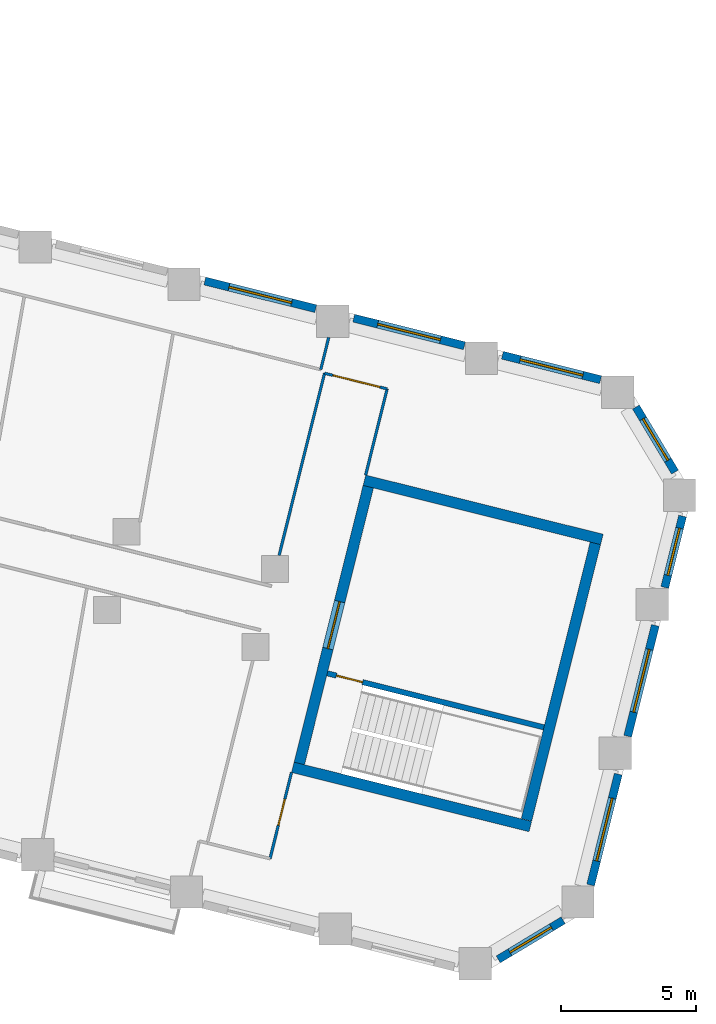
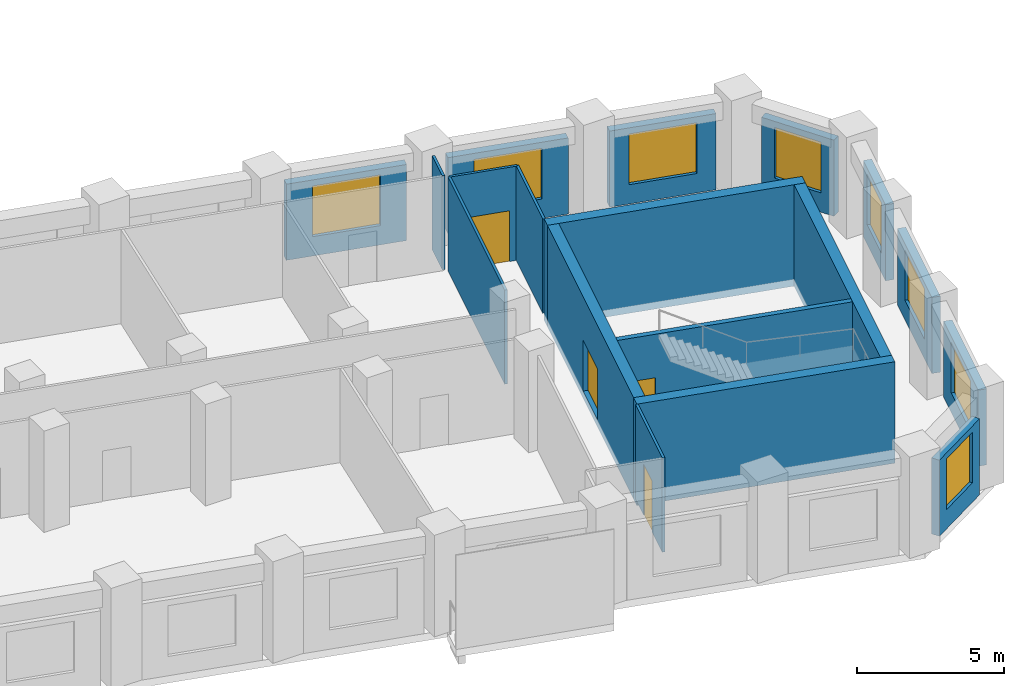
# One storey, part 7 of 10: 18 walls, 8 windows, 4 doors, 12 openings.
"""IFC4 building model written with IfcOpenShell, lengths in metres."""

import ifcopenshell
import ifcopenshell.guid

model = None  # the IFC model being written
_history = None  # IfcOwnerHistory: only IFC2X3 demands one
_inside = {}  # id of a spatial element -> (the spatial element, [elements in it])
_under = {}  # id of a project, library or spatial element -> (it, [spatial elements below it])
_declared = {}  # id of a project -> (the project, [libraries it declares])
_typed = {}  # id of a type object -> (the type object, [elements of that type])
_made_of = {}  # id of a material, layer set ... -> (it, [elements and type objects made of it])


def new_model(schema):
    """Start an empty IFC model of exactly this schema.

    Asked for "IFC4X3", IfcOpenShell would pick the latest addendum, in which some entities
    have other attributes; the version numbers below select the first issue.
    IFC2X3 requires an IfcOwnerHistory on every rooted entity: one is made here for all.
    """
    global model, _history
    if schema == "IFC4X3":
        model = ifcopenshell.file(schema_version=(4, 3, 0, 0))
    else:
        model = ifcopenshell.file(schema=schema)
    _inside.clear()
    _under.clear()
    _declared.clear()
    _typed.clear()
    _made_of.clear()
    _history = None
    if model.schema == "IFC2X3":
        org = make("IfcOrganization", Name="unknown")
        user = make(
            "IfcPersonAndOrganization",
            ThePerson=make("IfcPerson", FamilyName="unknown"),
            TheOrganization=org,
        )
        app = make(
            "IfcApplication",
            ApplicationDeveloper=org,
            Version="unknown",
            ApplicationFullName="unknown",
            ApplicationIdentifier="unknown",
        )
        _history = make(
            "IfcOwnerHistory",
            OwningUser=user,
            OwningApplication=app,
            ChangeAction="ADDED",
            CreationDate=0,
        )
    return model


def make(cls, **values):
    """One entity of the class cls with the attributes given. An attribute that is None is left unset."""
    return model.create_entity(
        cls, **{name: value for name, value in values.items() if value is not None}
    )


def rooted(cls, **values):
    """An entity with a GlobalId (a new one), such as an element, a storey or a relation."""
    return make(cls, GlobalId=ifcopenshell.guid.new(), OwnerHistory=_history, **values)


def si_unit(unit_type, name, prefix=None):
    """IfcSIUnit, for example si_unit("LENGTHUNIT", "METRE", prefix="MILLI")."""
    return make("IfcSIUnit", UnitType=unit_type, Prefix=prefix, Name=name)


def assignment(units):
    """IfcUnitAssignment: the units of a project."""
    return None if units is None else make("IfcUnitAssignment", Units=units)


def point(xyz):
    """IfcCartesianPoint."""
    return None if xyz is None else make("IfcCartesianPoint", Coordinates=xyz)


def direction(xyz):
    """IfcDirection."""
    return None if xyz is None else make("IfcDirection", DirectionRatios=xyz)


def frame(location, z_axis=None, x_axis=None):
    """IfcAxis2Placement3D, a coordinate frame: its origin and axes. An axis left out is left unset."""
    return make(
        "IfcAxis2Placement3D",
        Location=point(location),
        Axis=direction(z_axis),
        RefDirection=direction(x_axis),
    )


def frame_2d(location, x_axis=None):
    """IfcAxis2Placement2D, a coordinate frame in the plane: its origin and x axis."""
    return make(
        "IfcAxis2Placement2D", Location=point(location), RefDirection=direction(x_axis)
    )


def origin():
    """The frame at (0, 0, 0) with its axes left unset."""
    return frame((0.0, 0.0, 0.0))


def place(relative_to, where):
    """IfcLocalPlacement: puts the frame where relative to a parent placement (None: the world)."""
    return make(
        "IfcLocalPlacement", PlacementRelTo=relative_to, RelativePlacement=where
    )


def context(
    kind, dimensions, precision=None, world=None, true_north=None, identifier=None
):
    """IfcGeometricRepresentationContext, for example the 3D "Model" context."""
    return make(
        "IfcGeometricRepresentationContext",
        ContextIdentifier=identifier,
        ContextType=kind,
        CoordinateSpaceDimension=dimensions,
        Precision=precision,
        WorldCoordinateSystem=world,
        TrueNorth=true_north,
    )


def subcontext(parent, identifier, kind, view, scale=None):
    """IfcGeometricRepresentationSubContext, for example "Body" below "Model"."""
    return make(
        "IfcGeometricRepresentationSubContext",
        ContextIdentifier=identifier,
        ContextType=kind,
        ParentContext=parent,
        TargetScale=scale,
        TargetView=view,
    )


def project(units=None, contexts=None):
    """IfcProject with its units and contexts."""
    return rooted(
        "IfcProject",
        Name="project",
        RepresentationContexts=contexts,
        UnitsInContext=assignment(units),
    )


def spatial(cls, under=None, at=None, **own):
    """A site, building, storey or space (cls), placed at a placement, below another one or the project."""
    s = rooted(cls, ObjectPlacement=at, **own)
    if under is not None:
        _under.setdefault(under.id(), (under, []))[1].append(s)
    return s


def profile(cls, at=None, kind="AREA", **sizes):
    """A parametric profile (cls). Its sizes go by their IFC names, for example OverallWidth=200.0."""
    return make(cls, ProfileType=kind, Position=at, **sizes)


def rectangle(**sizes):
    """IfcRectangleProfileDef."""
    return profile("IfcRectangleProfileDef", **sizes)


def extrude(swept, where, along, depth):
    """IfcExtrudedAreaSolid: the profile swept, set in the frame where, extruded along a direction by depth."""
    return make(
        "IfcExtrudedAreaSolid",
        SweptArea=swept,
        Position=where,
        ExtrudedDirection=direction(along),
        Depth=depth,
    )


def shape(context_of_items, identifier, shape_type, items):
    """IfcShapeRepresentation: the items that make up one representation, for example the "Body"."""
    return make(
        "IfcShapeRepresentation",
        ContextOfItems=context_of_items,
        RepresentationIdentifier=identifier,
        RepresentationType=shape_type,
        Items=items,
    )


def material(Name=None, Category=None):
    """IfcMaterial."""
    return make("IfcMaterial", Name=Name, Category=Category)


def layer(
    of_material, thickness, ventilated=None, Name=None, Category=None, Priority=None
):
    """IfcMaterialLayer: one layer of a wall or slab, of a material (None: an air gap)."""
    return make(
        "IfcMaterialLayer",
        Material=of_material,
        LayerThickness=thickness,
        IsVentilated=ventilated,
        Name=Name,
        Category=Category,
        Priority=Priority,
    )


def layer_set(layers, Name=None):
    """IfcMaterialLayerSet."""
    return make("IfcMaterialLayerSet", MaterialLayers=layers, LayerSetName=Name)


def made_of(thing, what):
    """Note that an element or type object is made of a material, layer set ...; save() writes the relation."""
    if what is not None:
        _made_of.setdefault(what.id(), (what, []))[1].append(thing)
    return thing


def type_object(cls, material=None, **own):
    """A type object (cls), such as IfcWallType, which elements share."""
    return made_of(rooted(cls, **own), material)


def element(
    cls,
    number,
    at=None,
    inside=None,
    cuts=None,
    type_object=None,
    material=None,
    context=None,
    identifier="Body",
    shape_type=None,
    held_by="IfcProductDefinitionShape",
    body=None,
    shapes=None,
    **own,
):
    """One element of the class cls, such as IfcWall. Its Tag is "e" and its number.

    at: its placement. inside: the storey or other place that contains it. cuts: it is an
    opening in that element (IfcRelVoidsElement). A single representation is given by context,
    identifier, shape_type and body (its items); several are given by shapes. held_by: the class
    of the entity that holds the representations. save() writes the other relations.
    """
    e = rooted(cls, Tag="e%d" % number, ObjectPlacement=at, **own)
    if body is not None:
        shapes = [shape(context, identifier, shape_type, body)]
    if shapes is not None:
        e.Representation = make(held_by, Representations=shapes)
    if inside is not None:
        _inside.setdefault(inside.id(), (inside, []))[1].append(e)
    if cuts is not None:
        rooted(
            "IfcRelVoidsElement", RelatingBuildingElement=cuts, RelatedOpeningElement=e
        )
    if type_object is not None:
        _typed.setdefault(type_object.id(), (type_object, []))[1].append(e)
    return made_of(e, material)


def fill(opening, filler):
    """IfcRelFillsElement: the door or window that sits in an opening."""
    return rooted(
        "IfcRelFillsElement",
        RelatingOpeningElement=opening,
        RelatedBuildingElement=filler,
    )


def aggregate(whole, parts):
    """IfcRelAggregates: a whole, such as a stair, and the parts it consists of."""
    return rooted("IfcRelAggregates", RelatingObject=whole, RelatedObjects=parts)


def save(model, path):
    """Write the relations noted so far, then the file.

    IfcRelAggregates (storeys below a building ...), IfcRelContainedInSpatialStructure (elements
    in a storey), IfcRelDefinesByType, IfcRelAssociatesMaterial and IfcRelDeclares: one each for
    every whole, place, type object, material and project.
    """
    for whole, parts in _under.values():
        aggregate(whole, parts)
    for where, things in _inside.values():
        rooted(
            "IfcRelContainedInSpatialStructure",
            RelatedElements=things,
            RelatingStructure=where,
        )
    for kind, things in _typed.values():
        rooted("IfcRelDefinesByType", RelatedObjects=things, RelatingType=kind)
    for what, things in _made_of.values():
        rooted("IfcRelAssociatesMaterial", RelatedObjects=things, RelatingMaterial=what)
    for by, libraries in _declared.values():
        rooted("IfcRelDeclares", RelatingContext=by, RelatedDefinitions=libraries)
    model.write(path)


model = new_model("IFC4")

# Units and contexts
model_context = context("Model", 3, precision=1e-05, world=origin(), true_north=direction((0.0, 1.0)))
body_context = subcontext(model_context, "Body", "Model", "MODEL_VIEW")
ifc_project = project(units=[si_unit("LENGTHUNIT", "METRE"), si_unit("AREAUNIT", "SQUARE_METRE"), si_unit("VOLUMEUNIT", "CUBIC_METRE"), si_unit("PLANEANGLEUNIT", "RADIAN"), si_unit("MASSUNIT", "GRAM", prefix="KILO")], contexts=[model_context])

# Site, building, storey
site_placement = place(None, origin())
site = spatial("IfcSite", under=ifc_project, at=site_placement, CompositionType="ELEMENT")
building_placement = place(site_placement, origin())
building = spatial("IfcBuilding", under=site, at=building_placement, Name="Meshkara Civic Tower", CompositionType="ELEMENT")
storey_placement = place(building_placement, frame((0.0, 0.0, 203.39990234375)))
storey = spatial("IfcBuildingStorey", under=building, at=storey_placement, Name="L46", CompositionType="ELEMENT", Elevation=203.39990234375)

# Wall, opening, door
ifc_material_1 = material(Name="Corridor wall 100")
ifc_layer_1 = layer(ifc_material_1, 0.10009765625)
ifc_layer_set_1 = layer_set([ifc_layer_1], Name="Corridor wall 100")
wall_type_1 = type_object("IfcWallType", Name="Corridor wall 100", PredefinedType="PARTITIONING", material=ifc_layer_set_1)
wall_1_placement = place(storey_placement, frame((64.202880859375, -13.533935546875, 0.0), z_axis=(0.0, 0.0, 1.0), x_axis=(0.241856645367, 0.970311992656, 0.0)))
wall_1 = element("IfcWall", 1, at=wall_1_placement, inside=storey, type_object=wall_type_1, Name="L46-W029", PredefinedType="PARTITIONING", context=body_context, shape_type="SweptSolid", body=[
    extrude(rectangle(XDim=3.2998046875, YDim=0.10009765625, at=frame_2d((1.64990234375, 0.0))), origin(), (0.0, 0.0, 1.0), 3.900146484375),
])
opening_1_placement = place(wall_1_placement, frame((1.280029296875, 0.0, 0.0)))
opening_1 = element("IfcOpeningElement", 2, at=opening_1_placement, cuts=wall_1, Name="Opening L46-D001", PredefinedType="OPENING", context=body_context, shape_type="SweptSolid", body=[
    extrude(rectangle(XDim=1.0, YDim=2.10009765625, at=frame_2d((0.5, 1.050048828125))), frame((0.0, 0.06005859375, 0.0), z_axis=(0.0, -1.0, 0.0), x_axis=(1.0, 0.0, 0.0)), (0.0, 0.0, 1.0), 0.1201171875),
])
ifc_material_2 = material(Name="Door 1000 x 2100")
door_type_1 = type_object("IfcDoorType", Name="Door 1000 x 2100", OperationType="SINGLE_SWING_LEFT", PredefinedType="DOOR", material=ifc_material_2)
door_1_placement = place(opening_1_placement, origin())
door_1 = element("IfcDoor", 3, at=door_1_placement, inside=storey, type_object=door_type_1, Name="L46-D001", OperationType="SINGLE_SWING_LEFT", OverallHeight=2.10009765625, OverallWidth=1.0, PredefinedType="DOOR", context=body_context, shape_type="SweptSolid", body=[
    extrude(rectangle(XDim=1.0, YDim=2.10009765625, at=frame_2d((0.5, 1.050048828125))), frame((0.0, 0.02490234375, 0.0), z_axis=(0.0, -1.0, 0.0), x_axis=(1.0, 0.0, 0.0)), (0.0, 0.0, 1.0), 0.050048828125),
])
fill(opening_1, door_1)

# Walls
wall_2_placement = place(storey_placement, frame((66.0869140625, 4.64990234375, 0.0), z_axis=(0.0, 0.0, 1.0), x_axis=(0.24202255973, 0.970270622343, 0.0)))
element("IfcWall", 4, at=wall_2_placement, inside=storey, type_object=wall_type_1, Name="L46-W030", PredefinedType="PARTITIONING", context=body_context, shape_type="SweptSolid", body=[
    extrude(rectangle(XDim=1.231689453125, YDim=0.10009765625, at=frame_2d((0.61572265625, 0.0))), origin(), (0.0, 0.0, 1.0), 3.900146484375),
])
wall_3_placement = place(storey_placement, frame((66.22900390625, 4.511962890625, 0.0), z_axis=(0.0, 0.0, 1.0), x_axis=(-0.24195951758, -0.970286345288, 0.0)))
element("IfcWall", 5, at=wall_3_placement, inside=storey, type_object=wall_type_1, Name="L46-W031", PredefinedType="PARTITIONING", context=body_context, shape_type="SweptSolid", body=[
    extrude(rectangle(XDim=6.98046875, YDim=0.10009765625, at=frame_2d((3.490234375, 0.0))), origin(), (0.0, 0.0, 1.0), 3.900146484375),
])
wall_4_placement = place(storey_placement, frame((67.759033203125, 0.72900390625, 0.0), z_axis=(0.0, 0.0, 1.0), x_axis=(0.241786986316, 0.970329352977, 0.0)))
element("IfcWall", 6, at=wall_4_placement, inside=storey, type_object=wall_type_1, Name="L46-W032", PredefinedType="PARTITIONING", context=body_context, shape_type="SweptSolid", body=[
    extrude(rectangle(XDim=3.2998046875, YDim=0.10009765625, at=frame_2d((1.64990234375, 0.0))), origin(), (0.0, 0.0, 1.0), 3.900146484375),
])

# Wall, opening, door
wall_5_placement = place(storey_placement, frame((68.556884765625, 3.930908203125, 0.0), z_axis=(0.0, 0.0, 1.0), x_axis=(-0.970232217337, 0.242176473756, 0.0)))
wall_5 = element("IfcWall", 7, at=wall_5_placement, inside=storey, type_object=wall_type_1, Name="L46-W033", PredefinedType="PARTITIONING", context=body_context, shape_type="SweptSolid", body=[
    extrude(rectangle(XDim=2.3994140625, YDim=0.10009765625, at=frame_2d((1.19970703125, 0.0))), origin(), (0.0, 0.0, 1.0), 3.900146484375),
])
opening_2_placement = place(wall_5_placement, frame((0.280029296875, 0.0, 0.0)))
opening_2 = element("IfcOpeningElement", 8, at=opening_2_placement, cuts=wall_5, Name="Opening L46-D011", PredefinedType="OPENING", context=body_context, shape_type="SweptSolid", body=[
    extrude(rectangle(XDim=1.800048828125, YDim=2.10009765625, at=frame_2d((0.89990234375, 1.050048828125))), frame((0.0, 0.06005859375, 0.0), z_axis=(0.0, -1.0, 0.0), x_axis=(1.0, 0.0, 0.0)), (0.0, 0.0, 1.0), 0.1201171875),
])
ifc_material_3 = material(Name="Door pair 1800 x 2100")
door_type_2 = type_object("IfcDoorType", Name="Door pair 1800 x 2100", OperationType="SINGLE_SWING_LEFT", PredefinedType="DOOR", material=ifc_material_3)
door_2_placement = place(opening_2_placement, origin())
door_2 = element("IfcDoor", 9, at=door_2_placement, inside=storey, type_object=door_type_2, Name="L46-D011", OperationType="DOUBLE_DOOR_SINGLE_SWING", OverallHeight=2.10009765625, OverallWidth=1.800048828125, PredefinedType="DOOR", context=body_context, shape_type="SweptSolid", body=[
    extrude(rectangle(XDim=1.800048828125, YDim=2.10009765625, at=frame_2d((0.89990234375, 1.050048828125))), frame((0.0, 0.02490234375, 0.0), z_axis=(0.0, -1.0, 0.0), x_axis=(1.0, 0.0, 0.0)), (0.0, 0.0, 1.0), 0.050048828125),
])
fill(opening_2, door_2)

# Wall, opening, window
ifc_material_4 = material(Name="Insulated infill panel with bronze anodised aluminium cladding", Category="aluminium")
ifc_layer_2 = layer(ifc_material_4, 0.300048828125)
ifc_layer_set_2 = layer_set([ifc_layer_2], Name="EXTERNAL INFILL WALL 300")
wall_type_2 = type_object("IfcWallType", Name="EXTERNAL INFILL WALL 300", PredefinedType="SOLIDWALL", material=ifc_layer_set_2)
wall_6_placement = place(storey_placement, frame((76.491943359375, 4.27197265625, 0.0), z_axis=(0.0, 0.0, 1.0), x_axis=(-0.970348377394, 0.241710625521, 0.0)))
wall_6 = element("IfcWall", 10, at=wall_6_placement, inside=storey, type_object=wall_type_2, Name="External wall", PredefinedType="SOLIDWALL", context=body_context, shape_type="SweptSolid", body=[
    extrude(rectangle(XDim=3.760498046875, YDim=0.300048828125, at=frame_2d((1.88037109375, 0.0))), origin(), (0.0, 0.0, 1.0), 3.150146484375),
])
opening_3_placement = place(wall_6_placement, frame((0.679931640625, 0.0, 0.800048828125)))
opening_3 = element("IfcOpeningElement", 11, at=opening_3_placement, cuts=wall_6, Name="Opening W7", PredefinedType="OPENING", context=body_context, shape_type="SweptSolid", body=[
    extrude(rectangle(XDim=2.39990234375, YDim=2.10009765625, at=frame_2d((1.199951171875, 1.050048828125))), frame((0.0, 0.159912109375, 0.0), z_axis=(0.0, -1.0, 0.0), x_axis=(1.0, 0.0, 0.0)), (0.0, 0.0, 1.0), 0.320068359375),
])
ifc_material_5 = material(Name="Tinted double glazing", Category="glass")
window_type_1 = type_object("IfcWindowType", Name="WINDOW 2400x2100", PartitioningType="DOUBLE_PANEL_VERTICAL", PredefinedType="WINDOW", material=ifc_material_5)
window_1_placement = place(opening_3_placement, origin())
window_1 = element("IfcWindow", 12, at=window_1_placement, inside=storey, type_object=window_type_1, Name="Window", OverallHeight=2.10009765625, OverallWidth=2.39990234375, PartitioningType="DOUBLE_PANEL_VERTICAL", PredefinedType="WINDOW", context=body_context, shape_type="SweptSolid", body=[
    extrude(rectangle(XDim=2.39990234375, YDim=2.10009765625, at=frame_2d((1.199951171875, 1.050048828125))), frame((0.0, 0.030029296875, 0.0), z_axis=(0.0, -1.0, 0.0), x_axis=(1.0, 0.0, 0.0)), (0.0, 0.0, 1.0), 0.06005859375),
])
fill(opening_3, window_1)

wall_7_placement = place(storey_placement, frame((71.431884765625, 5.532958984375, 0.0), z_axis=(0.0, 0.0, 1.0), x_axis=(-0.970301260502, 0.241899697951, 0.0)))
wall_7 = element("IfcWall", 13, at=wall_7_placement, inside=storey, type_object=wall_type_2, Name="External wall", PredefinedType="SOLIDWALL", context=body_context, shape_type="SweptSolid", body=[
    extrude(rectangle(XDim=4.24609375, YDim=0.300048828125, at=frame_2d((2.123046875, 0.0))), origin(), (0.0, 0.0, 1.0), 3.150146484375),
])
opening_4_placement = place(wall_7_placement, frame((0.923095703125, 0.0, 0.800048828125)))
opening_4 = element("IfcOpeningElement", 14, at=opening_4_placement, cuts=wall_7, Name="Opening W7", PredefinedType="OPENING", context=body_context, shape_type="SweptSolid", body=[
    extrude(rectangle(XDim=2.39990234375, YDim=2.10009765625, at=frame_2d((1.199951171875, 1.050048828125))), frame((0.0, 0.159912109375, 0.0), z_axis=(0.0, -1.0, 0.0), x_axis=(1.0, 0.0, 0.0)), (0.0, 0.0, 1.0), 0.320068359375),
])
window_2_placement = place(opening_4_placement, origin())
window_2 = element("IfcWindow", 15, at=window_2_placement, inside=storey, type_object=window_type_1, Name="Window", OverallHeight=2.10009765625, OverallWidth=2.39990234375, PartitioningType="DOUBLE_PANEL_VERTICAL", PredefinedType="WINDOW", context=body_context, shape_type="SweptSolid", body=[
    extrude(rectangle(XDim=2.39990234375, YDim=2.10009765625, at=frame_2d((1.199951171875, 1.050048828125))), frame((0.0, 0.030029296875, 0.0), z_axis=(0.0, -1.0, 0.0), x_axis=(1.0, 0.0, 0.0)), (0.0, 0.0, 1.0), 0.06005859375),
])
fill(opening_4, window_2)

wall_8_placement = place(storey_placement, frame((65.90087890625, 6.912109375, 0.0), z_axis=(0.0, 0.0, 1.0), x_axis=(-0.970260760633, 0.242062091986, 0.0)))
wall_8 = element("IfcWall", 16, at=wall_8_placement, inside=storey, type_object=wall_type_2, Name="External wall", PredefinedType="SOLIDWALL", context=body_context, shape_type="SweptSolid", body=[
    extrude(rectangle(XDim=4.24609375, YDim=0.300048828125, at=frame_2d((2.123046875, 0.0))), origin(), (0.0, 0.0, 1.0), 3.150146484375),
])
opening_5_placement = place(wall_8_placement, frame((0.923095703125, 0.0, 0.800048828125)))
opening_5 = element("IfcOpeningElement", 17, at=opening_5_placement, cuts=wall_8, Name="Opening W7", PredefinedType="OPENING", context=body_context, shape_type="SweptSolid", body=[
    extrude(rectangle(XDim=2.39990234375, YDim=2.10009765625, at=frame_2d((1.199951171875, 1.050048828125))), frame((0.0, 0.159912109375, 0.0), z_axis=(0.0, -1.0, 0.0), x_axis=(1.0, 0.0, 0.0)), (0.0, 0.0, 1.0), 0.320068359375),
])
window_3_placement = place(opening_5_placement, origin())
window_3 = element("IfcWindow", 18, at=window_3_placement, inside=storey, type_object=window_type_1, Name="Window", OverallHeight=2.10009765625, OverallWidth=2.39990234375, PartitioningType="DOUBLE_PANEL_VERTICAL", PredefinedType="WINDOW", context=body_context, shape_type="SweptSolid", body=[
    extrude(rectangle(XDim=2.39990234375, YDim=2.10009765625, at=frame_2d((1.199951171875, 1.050048828125))), frame((0.0, 0.030029296875, 0.0), z_axis=(0.0, -1.0, 0.0), x_axis=(1.0, 0.0, 0.0)), (0.0, 0.0, 1.0), 0.06005859375),
])
fill(opening_5, window_3)

wall_9_placement = place(storey_placement, frame((72.68701171875, -17.277099609375, 0.0), z_axis=(0.0, 0.0, 1.0), x_axis=(0.857309341171, 0.514801606, 0.0)))
wall_9 = element("IfcWall", 19, at=wall_9_placement, inside=storey, type_object=wall_type_2, Name="External wall", PredefinedType="SOLIDWALL", context=body_context, shape_type="SweptSolid", body=[
    extrude(rectangle(XDim=2.81689453125, YDim=0.300048828125, at=frame_2d((1.408447265625, 0.0))), origin(), (0.0, 0.0, 1.0), 3.150146484375),
])
opening_6_placement = place(wall_9_placement, frame((0.508056640625, 0.0, 0.800048828125)))
opening_6 = element("IfcOpeningElement", 20, at=opening_6_placement, cuts=wall_9, Name="Opening W9", PredefinedType="OPENING", context=body_context, shape_type="SweptSolid", body=[
    extrude(rectangle(XDim=1.800048828125, YDim=2.10009765625, at=frame_2d((0.89990234375, 1.050048828125))), frame((0.0, 0.159912109375, 0.0), z_axis=(0.0, -1.0, 0.0), x_axis=(1.0, 0.0, 0.0)), (0.0, 0.0, 1.0), 0.320068359375),
])
ifc_material_6 = material(Name="Tinted double glazing", Category="glass")
window_type_2 = type_object("IfcWindowType", Name="WINDOW 1800x2100", PartitioningType="DOUBLE_PANEL_VERTICAL", PredefinedType="WINDOW", material=ifc_material_6)
window_4_placement = place(opening_6_placement, origin())
window_4 = element("IfcWindow", 21, at=window_4_placement, inside=storey, type_object=window_type_2, Name="Window", OverallHeight=2.10009765625, OverallWidth=1.800048828125, PartitioningType="DOUBLE_PANEL_VERTICAL", PredefinedType="WINDOW", context=body_context, shape_type="SweptSolid", body=[
    extrude(rectangle(XDim=1.800048828125, YDim=2.10009765625, at=frame_2d((0.89990234375, 1.050048828125))), frame((0.0, 0.030029296875, 0.0), z_axis=(0.0, -1.0, 0.0), x_axis=(1.0, 0.0, 0.0)), (0.0, 0.0, 1.0), 0.06005859375),
])
fill(opening_6, window_4)

wall_10_placement = place(storey_placement, frame((76.12109375, -14.511962890625, 0.0), z_axis=(0.0, 0.0, 1.0), x_axis=(0.241845562088, 0.970314755169, 0.0)))
wall_10 = element("IfcWall", 22, at=wall_10_placement, inside=storey, type_object=wall_type_2, Name="External wall", PredefinedType="SOLIDWALL", context=body_context, shape_type="SweptSolid", body=[
    extrude(rectangle(XDim=4.245849609375, YDim=0.300048828125, at=frame_2d((2.123046875, 0.0))), origin(), (0.0, 0.0, 1.0), 3.150146484375),
])
opening_7_placement = place(wall_10_placement, frame((0.923095703125, 0.0, 0.800048828125)))
opening_7 = element("IfcOpeningElement", 23, at=opening_7_placement, cuts=wall_10, Name="Opening W7", PredefinedType="OPENING", context=body_context, shape_type="SweptSolid", body=[
    extrude(rectangle(XDim=2.39990234375, YDim=2.10009765625, at=frame_2d((1.199951171875, 1.050048828125))), frame((0.0, 0.159912109375, 0.0), z_axis=(0.0, -1.0, 0.0), x_axis=(1.0, 0.0, 0.0)), (0.0, 0.0, 1.0), 0.320068359375),
])
window_5_placement = place(opening_7_placement, origin())
window_5 = element("IfcWindow", 24, at=window_5_placement, inside=storey, type_object=window_type_1, Name="Window", OverallHeight=2.10009765625, OverallWidth=2.39990234375, PartitioningType="DOUBLE_PANEL_VERTICAL", PredefinedType="WINDOW", context=body_context, shape_type="SweptSolid", body=[
    extrude(rectangle(XDim=2.39990234375, YDim=2.10009765625, at=frame_2d((1.199951171875, 1.050048828125))), frame((0.0, 0.030029296875, 0.0), z_axis=(0.0, -1.0, 0.0), x_axis=(1.0, 0.0, 0.0)), (0.0, 0.0, 1.0), 0.06005859375),
])
fill(opening_7, window_5)

wall_11_placement = place(storey_placement, frame((77.5, -8.98095703125, 0.0), z_axis=(0.0, 0.0, 1.0), x_axis=(0.241682938765, 0.970355273655, 0.0)))
wall_11 = element("IfcWall", 25, at=wall_11_placement, inside=storey, type_object=wall_type_2, Name="External wall", PredefinedType="SOLIDWALL", context=body_context, shape_type="SweptSolid", body=[
    extrude(rectangle(XDim=4.24462890625, YDim=0.300048828125, at=frame_2d((2.122314453125, 0.0))), origin(), (0.0, 0.0, 1.0), 3.150146484375),
])
opening_8_placement = place(wall_11_placement, frame((0.922119140625, 0.0, 0.800048828125)))
opening_8 = element("IfcOpeningElement", 26, at=opening_8_placement, cuts=wall_11, Name="Opening W7", PredefinedType="OPENING", context=body_context, shape_type="SweptSolid", body=[
    extrude(rectangle(XDim=2.39990234375, YDim=2.10009765625, at=frame_2d((1.199951171875, 1.050048828125))), frame((0.0, 0.159912109375, 0.0), z_axis=(0.0, -1.0, 0.0), x_axis=(1.0, 0.0, 0.0)), (0.0, 0.0, 1.0), 0.320068359375),
])
window_6_placement = place(opening_8_placement, origin())
window_6 = element("IfcWindow", 27, at=window_6_placement, inside=storey, type_object=window_type_1, Name="Window", OverallHeight=2.10009765625, OverallWidth=2.39990234375, PartitioningType="DOUBLE_PANEL_VERTICAL", PredefinedType="WINDOW", context=body_context, shape_type="SweptSolid", body=[
    extrude(rectangle(XDim=2.39990234375, YDim=2.10009765625, at=frame_2d((1.199951171875, 1.050048828125))), frame((0.0, 0.030029296875, 0.0), z_axis=(0.0, -1.0, 0.0), x_axis=(1.0, 0.0, 0.0)), (0.0, 0.0, 1.0), 0.06005859375),
])
fill(opening_8, window_6)

wall_12_placement = place(storey_placement, frame((78.8779296875, -3.450927734375, 0.0), z_axis=(0.0, 0.0, 1.0), x_axis=(0.24190501074, 0.970299935988, 0.0)))
wall_12 = element("IfcWall", 28, at=wall_12_placement, inside=storey, type_object=wall_type_2, Name="External wall", PredefinedType="SOLIDWALL", context=body_context, shape_type="SweptSolid", body=[
    extrude(rectangle(XDim=2.73291015625, YDim=0.300048828125, at=frame_2d((1.366455078125, 0.0))), origin(), (0.0, 0.0, 1.0), 3.150146484375),
])
opening_9_placement = place(wall_12_placement, frame((0.466064453125, 0.0, 0.800048828125)))
opening_9 = element("IfcOpeningElement", 29, at=opening_9_placement, cuts=wall_12, Name="Opening W9", PredefinedType="OPENING", context=body_context, shape_type="SweptSolid", body=[
    extrude(rectangle(XDim=1.800048828125, YDim=2.10009765625, at=frame_2d((0.89990234375, 1.050048828125))), frame((0.0, 0.159912109375, 0.0), z_axis=(0.0, -1.0, 0.0), x_axis=(1.0, 0.0, 0.0)), (0.0, 0.0, 1.0), 0.320068359375),
])
window_7_placement = place(opening_9_placement, origin())
window_7 = element("IfcWindow", 30, at=window_7_placement, inside=storey, type_object=window_type_2, Name="Window", OverallHeight=2.10009765625, OverallWidth=1.800048828125, PartitioningType="DOUBLE_PANEL_VERTICAL", PredefinedType="WINDOW", context=body_context, shape_type="SweptSolid", body=[
    extrude(rectangle(XDim=1.800048828125, YDim=2.10009765625, at=frame_2d((0.89990234375, 1.050048828125))), frame((0.0, 0.030029296875, 0.0), z_axis=(0.0, -1.0, 0.0), x_axis=(1.0, 0.0, 0.0)), (0.0, 0.0, 1.0), 0.06005859375),
])
fill(opening_9, window_7)

wall_13_placement = place(storey_placement, frame((79.257080078125, 0.839111328125, 0.0), z_axis=(0.0, 0.0, 1.0), x_axis=(-0.514992914014, 0.857194434487, 0.0)))
wall_13 = element("IfcWall", 31, at=wall_13_placement, inside=storey, type_object=wall_type_2, Name="External wall", PredefinedType="SOLIDWALL", context=body_context, shape_type="SweptSolid", body=[
    extrude(rectangle(XDim=2.81591796875, YDim=0.300048828125, at=frame_2d((1.407958984375, 0.0))), origin(), (0.0, 0.0, 1.0), 3.150146484375),
])
opening_10_placement = place(wall_13_placement, frame((0.508056640625, 0.0, 0.800048828125)))
opening_10 = element("IfcOpeningElement", 32, at=opening_10_placement, cuts=wall_13, Name="Opening W9", PredefinedType="OPENING", context=body_context, shape_type="SweptSolid", body=[
    extrude(rectangle(XDim=1.800048828125, YDim=2.10009765625, at=frame_2d((0.89990234375, 1.050048828125))), frame((0.0, 0.159912109375, 0.0), z_axis=(0.0, -1.0, 0.0), x_axis=(1.0, 0.0, 0.0)), (0.0, 0.0, 1.0), 0.320068359375),
])
window_8_placement = place(opening_10_placement, origin())
window_8 = element("IfcWindow", 33, at=window_8_placement, inside=storey, type_object=window_type_2, Name="Window", OverallHeight=2.10009765625, OverallWidth=1.800048828125, PartitioningType="DOUBLE_PANEL_VERTICAL", PredefinedType="WINDOW", context=body_context, shape_type="SweptSolid", body=[
    extrude(rectangle(XDim=1.800048828125, YDim=2.10009765625, at=frame_2d((0.89990234375, 1.050048828125))), frame((0.0, 0.030029296875, 0.0), z_axis=(0.0, -1.0, 0.0), x_axis=(1.0, 0.0, 0.0)), (0.0, 0.0, 1.0), 0.06005859375),
])
fill(opening_10, window_8)

# Walls
ifc_material_7 = material(Name="Concrete C70", Category="concrete")
ifc_layer_3 = layer(ifc_material_7, 0.39990234375)
ifc_layer_set_3 = layer_set([ifc_layer_3], Name="End core ring wall 400 C70")
wall_type_3 = type_object("IfcWallType", Name="End core ring wall 400 C70", PredefinedType="SHEAR", material=ifc_layer_set_3)
for number, where, z_axis, x_axis, name in (
    (34, (65.050048828125, -10.137939453125, -0.2998046875), (0.0, 0.0, 1.0), (0.970273354879, -0.242011604707, 0.0), "L46-C028"),
    (35, (67.7109375, 0.534912109375, -0.2998046875), (0.0, 0.0, 1.0), (0.970306418893, -0.241879005816, 0.0), "L46-C029"),
):
    element("IfcWall", number, at=place(storey_placement, frame(where, z_axis=z_axis, x_axis=x_axis)), inside=storey, type_object=wall_type_3, Name=name, PredefinedType="SHEAR", context=body_context, shape_type="SweptSolid", body=[
        extrude(rectangle(XDim=9.099365234375, YDim=0.39990234375, at=frame_2d((4.5498046875, 0.0))), origin(), (0.0, 0.0, 1.0), 4.199951171875),
    ])

# Wall, opening, door
wall_14_placement = place(storey_placement, frame((65.2919921875, -9.991943359375, -0.2998046875), z_axis=(0.0, 0.0, 1.0), x_axis=(0.241890652548, 0.970303515509, 0.0)))
wall_14 = element("IfcWall", 36, at=wall_14_placement, inside=storey, type_object=wall_type_3, Name="L46-C030", PredefinedType="SHEAR", context=body_context, shape_type="SweptSolid", body=[
    extrude(rectangle(XDim=10.599609375, YDim=0.39990234375, at=frame_2d((5.2998046875, 0.0))), origin(), (0.0, 0.0, 1.0), 4.199951171875),
])
opening_11_placement = place(wall_14_placement, frame((4.39990234375, 0.0, 0.300048828125)))
opening_11 = element("IfcOpeningElement", 37, at=opening_11_placement, cuts=wall_14, Name="Opening L46-K202", PredefinedType="OPENING", context=body_context, shape_type="SweptSolid", body=[
    extrude(rectangle(XDim=1.800048828125, YDim=2.10009765625, at=frame_2d((0.89990234375, 1.050048828125))), frame((0.0, 0.2099609375, 0.0), z_axis=(0.0, -1.0, 0.0), x_axis=(1.0, 0.0, 0.0)), (0.0, 0.0, 1.0), 0.419921875),
])
ifc_material_8 = material(Name="Fire-rated door leaf in steel frame", Category="steel")
door_type_3 = type_object("IfcDoorType", Name="Core double door 1800 EI 60", OperationType="DOUBLE_DOOR_SINGLE_SWING", PredefinedType="DOOR", material=ifc_material_8)
door_3_placement = place(opening_11_placement, origin())
door_3 = element("IfcDoor", 38, at=door_3_placement, inside=storey, type_object=door_type_3, Name="L46-K202", OperationType="DOUBLE_DOOR_SINGLE_SWING", OverallHeight=2.10009765625, OverallWidth=1.800048828125, PredefinedType="DOOR", context=body_context, shape_type="SweptSolid", body=[
    extrude(rectangle(XDim=1.800048828125, YDim=2.10009765625, at=frame_2d((0.89990234375, 1.050048828125))), frame((0.0, 0.02490234375, 0.0), z_axis=(0.0, -1.0, 0.0), x_axis=(1.0, 0.0, 0.0)), (0.0, 0.0, 1.0), 0.050048828125),
])
fill(opening_11, door_3)

# Wall
wall_15_placement = place(storey_placement, frame((73.73388671875, -12.096923828125, -0.2998046875), z_axis=(0.0, 0.0, 1.0), x_axis=(0.241912337509, 0.970298109326, 0.0)))
element("IfcWall", 39, at=wall_15_placement, inside=storey, type_object=wall_type_3, Name="L46-C031", PredefinedType="SHEAR", context=body_context, shape_type="SweptSolid", body=[
    extrude(rectangle(XDim=10.599853515625, YDim=0.39990234375, at=frame_2d((5.2998046875, 0.0))), origin(), (0.0, 0.0, 1.0), 4.199951171875),
])

# Wall, opening, door
ifc_material_9 = material(Name="Concrete C40/50", Category="concrete")
ifc_layer_4 = layer(ifc_material_9, 0.199951171875)
ifc_layer_set_4 = layer_set([ifc_layer_4], Name="Stair enclosure wall 200 C40/50")
wall_type_4 = type_object("IfcWallType", Name="Stair enclosure wall 200 C40/50", PredefinedType="SOLIDWALL", material=ifc_layer_set_4)
wall_16_placement = place(storey_placement, frame((66.3330078125, -6.64501953125, 0.0), z_axis=(0.0, 0.0, 1.0), x_axis=(0.970289402158, -0.241947258837, 0.0)))
wall_16 = element("IfcWall", 40, at=wall_16_placement, inside=storey, type_object=wall_type_4, Name="L46-C032", PredefinedType="SOLIDWALL", context=body_context, shape_type="SweptSolid", body=[
    extrude(rectangle(XDim=8.299560546875, YDim=0.199951171875, at=frame_2d((4.14990234375, 0.0))), origin(), (0.0, 0.0, 1.0), 3.900146484375),
])
opening_12_placement = place(wall_16_placement, frame((0.35009765625, 0.0, 0.0)))
opening_12 = element("IfcOpeningElement", 41, at=opening_12_placement, cuts=wall_16, Name="Opening L46-K201", PredefinedType="OPENING", context=body_context, shape_type="SweptSolid", body=[
    extrude(rectangle(XDim=1.0, YDim=2.10009765625, at=frame_2d((0.5, 1.050048828125))), frame((0.0, 0.10986328125, 0.0), z_axis=(0.0, -1.0, 0.0), x_axis=(1.0, 0.0, 0.0)), (0.0, 0.0, 1.0), 0.219970703125),
])
ifc_material_10 = material(Name="Fire-rated door leaf in steel frame", Category="steel")
door_type_4 = type_object("IfcDoorType", Name="Stair door 1000 EI 120", OperationType="SINGLE_SWING_LEFT", PredefinedType="DOOR", material=ifc_material_10)
door_4_placement = place(opening_12_placement, origin())
door_4 = element("IfcDoor", 42, at=door_4_placement, inside=storey, type_object=door_type_4, Name="L46-K201", OperationType="SINGLE_SWING_LEFT", OverallHeight=2.10009765625, OverallWidth=1.0, PredefinedType="DOOR", context=body_context, shape_type="SweptSolid", body=[
    extrude(rectangle(XDim=1.0, YDim=2.10009765625, at=frame_2d((0.5, 1.050048828125))), frame((0.0, 0.02490234375, 0.0), z_axis=(0.0, -1.0, 0.0), x_axis=(1.0, 0.0, 0.0)), (0.0, 0.0, 1.0), 0.050048828125),
])
fill(opening_12, door_4)

save(model, "model.ifc")
